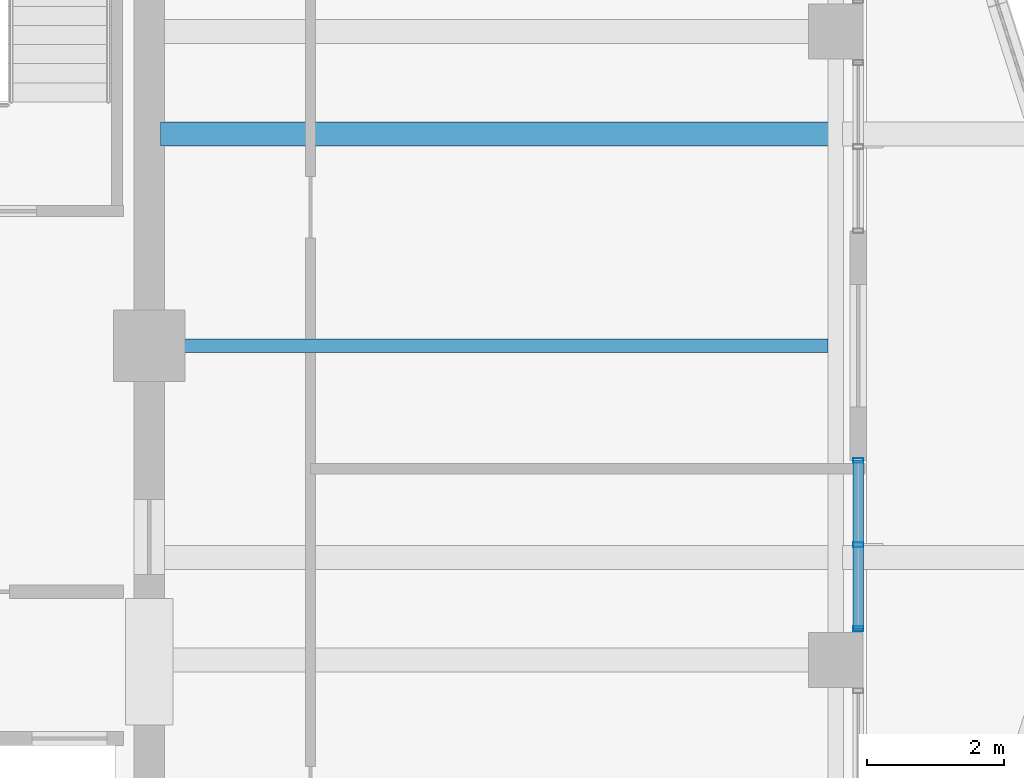
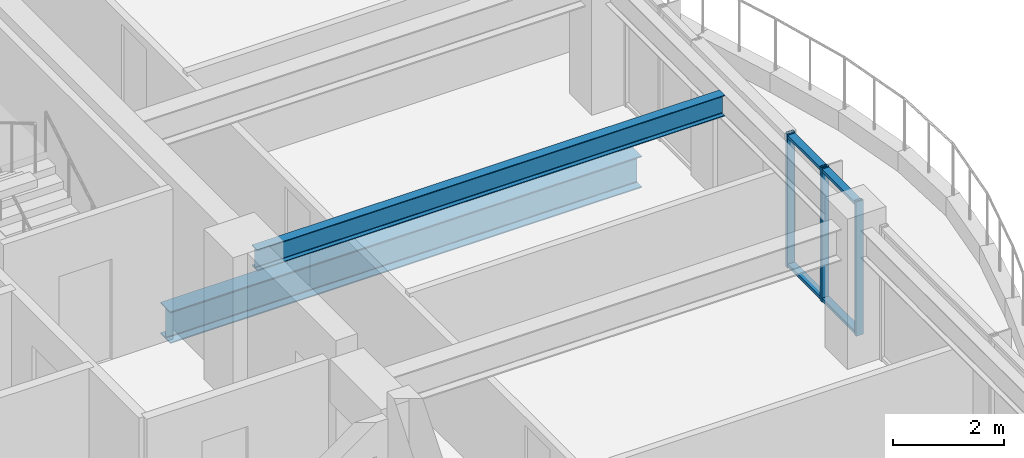
# One storey, part 13 of 34: 5 members, 2 beams, 1 element without a shape of its own.
"""IFC4 building model written with IfcOpenShell, lengths in metres."""

import ifcopenshell
import ifcopenshell.guid

model = None  # the IFC model being written
_history = None  # IfcOwnerHistory: only IFC2X3 demands one
_inside = {}  # id of a spatial element -> (the spatial element, [elements in it])
_under = {}  # id of a project, library or spatial element -> (it, [spatial elements below it])
_declared = {}  # id of a project -> (the project, [libraries it declares])
_typed = {}  # id of a type object -> (the type object, [elements of that type])
_made_of = {}  # id of a material, layer set ... -> (it, [elements and type objects made of it])


def new_model(schema):
    """Start an empty IFC model of exactly this schema.

    Asked for "IFC4X3", IfcOpenShell would pick the latest addendum, in which some entities
    have other attributes; the version numbers below select the first issue.
    IFC2X3 requires an IfcOwnerHistory on every rooted entity: one is made here for all.
    """
    global model, _history
    if schema == "IFC4X3":
        model = ifcopenshell.file(schema_version=(4, 3, 0, 0))
    else:
        model = ifcopenshell.file(schema=schema)
    _inside.clear()
    _under.clear()
    _declared.clear()
    _typed.clear()
    _made_of.clear()
    _history = None
    if model.schema == "IFC2X3":
        org = make("IfcOrganization", Name="unknown")
        user = make(
            "IfcPersonAndOrganization",
            ThePerson=make("IfcPerson", FamilyName="unknown"),
            TheOrganization=org,
        )
        app = make(
            "IfcApplication",
            ApplicationDeveloper=org,
            Version="unknown",
            ApplicationFullName="unknown",
            ApplicationIdentifier="unknown",
        )
        _history = make(
            "IfcOwnerHistory",
            OwningUser=user,
            OwningApplication=app,
            ChangeAction="ADDED",
            CreationDate=0,
        )
    return model


def make(cls, **values):
    """One entity of the class cls with the attributes given. An attribute that is None is left unset."""
    return model.create_entity(
        cls, **{name: value for name, value in values.items() if value is not None}
    )


def rooted(cls, **values):
    """An entity with a GlobalId (a new one), such as an element, a storey or a relation."""
    return make(cls, GlobalId=ifcopenshell.guid.new(), OwnerHistory=_history, **values)


def si_unit(unit_type, name, prefix=None):
    """IfcSIUnit, for example si_unit("LENGTHUNIT", "METRE", prefix="MILLI")."""
    return make("IfcSIUnit", UnitType=unit_type, Prefix=prefix, Name=name)


def assignment(units):
    """IfcUnitAssignment: the units of a project."""
    return None if units is None else make("IfcUnitAssignment", Units=units)


def point(xyz):
    """IfcCartesianPoint."""
    return None if xyz is None else make("IfcCartesianPoint", Coordinates=xyz)


def direction(xyz):
    """IfcDirection."""
    return None if xyz is None else make("IfcDirection", DirectionRatios=xyz)


def frame(location, z_axis=None, x_axis=None):
    """IfcAxis2Placement3D, a coordinate frame: its origin and axes. An axis left out is left unset."""
    return make(
        "IfcAxis2Placement3D",
        Location=point(location),
        Axis=direction(z_axis),
        RefDirection=direction(x_axis),
    )


def frame_2d(location, x_axis=None):
    """IfcAxis2Placement2D, a coordinate frame in the plane: its origin and x axis."""
    return make(
        "IfcAxis2Placement2D", Location=point(location), RefDirection=direction(x_axis)
    )


def origin():
    """The frame at (0, 0, 0) with its axes left unset."""
    return frame((0.0, 0.0, 0.0))


def origin_2d():
    """The frame at (0, 0) in the plane with its x axis left unset."""
    return frame_2d((0.0, 0.0))


def place(relative_to, where):
    """IfcLocalPlacement: puts the frame where relative to a parent placement (None: the world)."""
    return make(
        "IfcLocalPlacement", PlacementRelTo=relative_to, RelativePlacement=where
    )


def context(
    kind, dimensions, precision=None, world=None, true_north=None, identifier=None
):
    """IfcGeometricRepresentationContext, for example the 3D "Model" context."""
    return make(
        "IfcGeometricRepresentationContext",
        ContextIdentifier=identifier,
        ContextType=kind,
        CoordinateSpaceDimension=dimensions,
        Precision=precision,
        WorldCoordinateSystem=world,
        TrueNorth=true_north,
    )


def subcontext(parent, identifier, kind, view, scale=None):
    """IfcGeometricRepresentationSubContext, for example "Body" below "Model"."""
    return make(
        "IfcGeometricRepresentationSubContext",
        ContextIdentifier=identifier,
        ContextType=kind,
        ParentContext=parent,
        TargetScale=scale,
        TargetView=view,
    )


def project(units=None, contexts=None):
    """IfcProject with its units and contexts."""
    return rooted(
        "IfcProject",
        Name="project",
        RepresentationContexts=contexts,
        UnitsInContext=assignment(units),
    )


def spatial(cls, under=None, at=None, **own):
    """A site, building, storey or space (cls), placed at a placement, below another one or the project."""
    s = rooted(cls, ObjectPlacement=at, **own)
    if under is not None:
        _under.setdefault(under.id(), (under, []))[1].append(s)
    return s


def profile(cls, at=None, kind="AREA", **sizes):
    """A parametric profile (cls). Its sizes go by their IFC names, for example OverallWidth=200.0."""
    return make(cls, ProfileType=kind, Position=at, **sizes)


def hollow_rectangle(**sizes):
    """IfcRectangleHollowProfileDef."""
    return profile("IfcRectangleHollowProfileDef", **sizes)


def i_section(**sizes):
    """IfcIShapeProfileDef."""
    return profile("IfcIShapeProfileDef", **sizes)


def extrude(swept, where, along, depth):
    """IfcExtrudedAreaSolid: the profile swept, set in the frame where, extruded along a direction by depth."""
    return make(
        "IfcExtrudedAreaSolid",
        SweptArea=swept,
        Position=where,
        ExtrudedDirection=direction(along),
        Depth=depth,
    )


def shape(context_of_items, identifier, shape_type, items):
    """IfcShapeRepresentation: the items that make up one representation, for example the "Body"."""
    return make(
        "IfcShapeRepresentation",
        ContextOfItems=context_of_items,
        RepresentationIdentifier=identifier,
        RepresentationType=shape_type,
        Items=items,
    )


def material(Name=None, Category=None):
    """IfcMaterial."""
    return make("IfcMaterial", Name=Name, Category=Category)


def material_profile(
    of_material, cross_section, Name=None, Category=None, Priority=None
):
    """IfcMaterialProfile: a cross section and its material."""
    return make(
        "IfcMaterialProfile",
        Name=Name,
        Material=of_material,
        Profile=cross_section,
        Priority=Priority,
        Category=Category,
    )


def profile_set(profiles, Name=None, composite=None):
    """IfcMaterialProfileSet."""
    return make(
        "IfcMaterialProfileSet",
        Name=Name,
        MaterialProfiles=profiles,
        CompositeProfile=composite,
    )


def made_of(thing, what):
    """Note that an element or type object is made of a material, layer set ...; save() writes the relation."""
    if what is not None:
        _made_of.setdefault(what.id(), (what, []))[1].append(thing)
    return thing


def type_object(cls, material=None, **own):
    """A type object (cls), such as IfcWallType, which elements share."""
    return made_of(rooted(cls, **own), material)


def element(
    cls,
    number,
    at=None,
    inside=None,
    cuts=None,
    type_object=None,
    material=None,
    context=None,
    identifier="Body",
    shape_type=None,
    held_by="IfcProductDefinitionShape",
    body=None,
    shapes=None,
    **own,
):
    """One element of the class cls, such as IfcWall. Its Tag is "e" and its number.

    at: its placement. inside: the storey or other place that contains it. cuts: it is an
    opening in that element (IfcRelVoidsElement). A single representation is given by context,
    identifier, shape_type and body (its items); several are given by shapes. held_by: the class
    of the entity that holds the representations. save() writes the other relations.
    """
    e = rooted(cls, Tag="e%d" % number, ObjectPlacement=at, **own)
    if body is not None:
        shapes = [shape(context, identifier, shape_type, body)]
    if shapes is not None:
        e.Representation = make(held_by, Representations=shapes)
    if inside is not None:
        _inside.setdefault(inside.id(), (inside, []))[1].append(e)
    if cuts is not None:
        rooted(
            "IfcRelVoidsElement", RelatingBuildingElement=cuts, RelatedOpeningElement=e
        )
    if type_object is not None:
        _typed.setdefault(type_object.id(), (type_object, []))[1].append(e)
    return made_of(e, material)


def aggregate(whole, parts):
    """IfcRelAggregates: a whole, such as a stair, and the parts it consists of."""
    return rooted("IfcRelAggregates", RelatingObject=whole, RelatedObjects=parts)


def save(model, path):
    """Write the relations noted so far, then the file.

    IfcRelAggregates (storeys below a building ...), IfcRelContainedInSpatialStructure (elements
    in a storey), IfcRelDefinesByType, IfcRelAssociatesMaterial and IfcRelDeclares: one each for
    every whole, place, type object, material and project.
    """
    for whole, parts in _under.values():
        aggregate(whole, parts)
    for where, things in _inside.values():
        rooted(
            "IfcRelContainedInSpatialStructure",
            RelatedElements=things,
            RelatingStructure=where,
        )
    for kind, things in _typed.values():
        rooted("IfcRelDefinesByType", RelatedObjects=things, RelatingType=kind)
    for what, things in _made_of.values():
        rooted("IfcRelAssociatesMaterial", RelatedObjects=things, RelatingMaterial=what)
    for by, libraries in _declared.values():
        rooted("IfcRelDeclares", RelatingContext=by, RelatedDefinitions=libraries)
    model.write(path)


model = new_model("IFC4")

# Units and contexts
model_context = context("Model", 3, precision=1e-05, world=origin(), true_north=direction((0.0, 1.0)))
body_context = subcontext(model_context, "Body", "Model", "MODEL_VIEW")
ifc_project = project(units=[si_unit("LENGTHUNIT", "METRE"), si_unit("AREAUNIT", "SQUARE_METRE"), si_unit("VOLUMEUNIT", "CUBIC_METRE"), si_unit("PLANEANGLEUNIT", "RADIAN"), si_unit("MASSUNIT", "GRAM", prefix="KILO")], contexts=[model_context])

# Site, building, storey
site_placement = place(None, origin())
site = spatial("IfcSite", under=ifc_project, at=site_placement, CompositionType="ELEMENT")
building_placement = place(site_placement, origin())
building = spatial("IfcBuilding", under=site, at=building_placement, Name="Kolvaren Belvedere", CompositionType="ELEMENT")
storey_placement = place(building_placement, frame((0.0, 0.0, 229.5)))
storey = spatial("IfcBuildingStorey", under=building, at=storey_placement, Name="L67", CompositionType="ELEMENT", Elevation=229.5)

# Beams
ifc_material_1 = material(Name="Structural steel ASTM A992 Grade 50", Category="steel")
ifc_material_profile_1 = material_profile(ifc_material_1, i_section(OverallWidth=0.35498046875, OverallDepth=0.696044921875, WebThickness=0.015380859375, FlangeThickness=0.02490234375, FilletRadius=0.02197265625, at=origin_2d()), Name="W27X146")
ifc_profile_set_1 = profile_set([ifc_material_profile_1], Name="Structural steel ASTM A992 Grade 50")
beam_type_1 = type_object("IfcBeamType", Name="BM-GIRD-W27X146", PredefinedType="BEAM", material=ifc_profile_set_1)
beam_1_placement = place(storey_placement, frame((10.06494140625, 3.10009765625, -0.568115234375), z_axis=(1.0, 0.0, 0.0), x_axis=(0.0, 1.0, 0.0)))
element("IfcBeam", 1, at=beam_1_placement, inside=storey, type_object=beam_type_1, Name="L67 Balcony Interior Back-Span Girder BAL-E-2", PredefinedType="BEAM", context=body_context, shape_type="SweptSolid", body=[
    extrude(i_section(OverallWidth=0.35498046875, OverallDepth=0.696044921875, WebThickness=0.015380859375, FlangeThickness=0.02490234375, FilletRadius=0.02197265625, at=origin_2d()), origin(), (0.0, 0.0, 1.0), 9.7900390625),
])
ifc_material_2 = material(Name="Structural steel ASTM A992 Grade 50", Category="steel")
ifc_material_profile_2 = material_profile(ifc_material_2, i_section(OverallWidth=0.19091796875, OverallDepth=0.4599609375, WebThickness=0.010009765625, FlangeThickness=0.01611328125, FilletRadius=0.014892578125, at=origin_2d()), Name="W18X55")
ifc_profile_set_2 = profile_set([ifc_material_profile_2], Name="Structural steel ASTM A992 Grade 50")
beam_type_2 = type_object("IfcBeamType", Name="BM-JOIST-W18X55", PredefinedType="BEAM", material=ifc_profile_set_2)
beam_2_placement = place(storey_placement, frame((10.125, 0.0, 2.719970703125), z_axis=(1.0, 0.0, 0.0), x_axis=(0.0, 1.0, 0.0)))
element("IfcBeam", 2, at=beam_2_placement, inside=storey, type_object=beam_type_2, Name="L67 East Centre Floor Beam", PredefinedType="BEAM", context=body_context, shape_type="SweptSolid", body=[
    extrude(i_section(OverallWidth=0.19091796875, OverallDepth=0.4599609375, WebThickness=0.010009765625, FlangeThickness=0.01611328125, FilletRadius=0.014892578125, at=origin_2d()), origin(), (0.0, 0.0, 1.0), 9.71044921875),
])

# Curtain wall, members
ifc_material_3 = material(Name="Anodised pale-metal aluminium AA 6063-T6", Category="aluminium")
curtain_wall_type = type_object("IfcCurtainWallType", Name="CW-Z5-HIGH", PredefinedType="NOTDEFINED", material=ifc_material_3)
curtain_wall_placement = place(storey_placement, origin())
curtain_wall = element("IfcCurtainWall", 3, at=curtain_wall_placement, inside=storey, type_object=curtain_wall_type, Name="L67 Unitised Curtain Wall FCW-L67-E2-B1", PredefinedType="NOTDEFINED")
ifc_material_4 = material(Name="Anodised pale-metal aluminium AA 6063-T6", Category="aluminium")
ifc_material_profile_3 = material_profile(ifc_material_4, hollow_rectangle(XDim=0.070068359375, YDim=0.14990234375, WallThickness=0.004150390625, at=origin_2d()), Name="ALU-MUL-150X70")
ifc_profile_set_3 = profile_set([ifc_material_profile_3], Name="Anodised pale-metal aluminium AA 6063-T6")
member_type_1 = type_object("IfcMemberType", Name="CW-MUL-150", PredefinedType="MULLION", material=ifc_profile_set_3)
member_1_placement = place(storey_placement, frame((20.280029296875, -1.679931640625, 0.0), z_axis=(0.0, 0.0, 1.0), x_axis=(0.0, 1.0, 0.0)))
member_1 = element("IfcMember", 4, at=member_1_placement, type_object=member_type_1, Name="FCW-L67-E2-B1 Unitised Mullion 1", PredefinedType="MULLION", context=body_context, shape_type="SweptSolid", body=[
    extrude(hollow_rectangle(XDim=0.070068359375, YDim=0.14990234375, WallThickness=0.004150390625, at=origin_2d()), origin(), (0.0, 0.0, 1.0), 2.949951171875),
])
member_2_placement = place(storey_placement, frame((20.280029296875, -2.91259765625, 0.0), z_axis=(0.0, 0.0, 1.0), x_axis=(0.0, 1.0, 0.0)))
member_2 = element("IfcMember", 5, at=member_2_placement, type_object=member_type_1, Name="FCW-L67-E2-B1 Unitised Mullion 2", PredefinedType="MULLION", context=body_context, shape_type="SweptSolid", body=[
    extrude(hollow_rectangle(XDim=0.070068359375, YDim=0.14990234375, WallThickness=0.004150390625, at=origin_2d()), origin(), (0.0, 0.0, 1.0), 2.949951171875),
])
member_3_placement = place(storey_placement, frame((20.280029296875, -4.14501953125, 0.0), z_axis=(0.0, 0.0, 1.0), x_axis=(0.0, 1.0, 0.0)))
member_3 = element("IfcMember", 6, at=member_3_placement, type_object=member_type_1, Name="FCW-L67-E2-B1 Unitised Mullion 3", PredefinedType="MULLION", context=body_context, shape_type="SweptSolid", body=[
    extrude(hollow_rectangle(XDim=0.070068359375, YDim=0.14990234375, WallThickness=0.004150390625, at=origin_2d()), origin(), (0.0, 0.0, 1.0), 2.949951171875),
])
ifc_material_5 = material(Name="Anodised pale-metal aluminium AA 6063-T6", Category="aluminium")
ifc_material_profile_4 = material_profile(ifc_material_5, hollow_rectangle(XDim=0.06494140625, YDim=0.14990234375, WallThickness=0.00390625, at=origin_2d()), Name="ALU-TRN-150X65")
ifc_profile_set_4 = profile_set([ifc_material_profile_4], Name="Anodised pale-metal aluminium AA 6063-T6")
member_type_2 = type_object("IfcMemberType", Name="CW-TRN-150", PredefinedType="USERDEFINED", material=ifc_profile_set_4)
member_4_placement = place(storey_placement, frame((20.280029296875, -1.679931640625, 0.06005859375), z_axis=(0.0, -1.0, 0.0), x_axis=(0.0, 0.0, 1.0)))
member_4 = element("IfcMember", 7, at=member_4_placement, type_object=member_type_2, Name="FCW-L67-E2-B1 Sill Transom", ObjectType="TRANSOM", PredefinedType="USERDEFINED", context=body_context, shape_type="SweptSolid", body=[
    extrude(hollow_rectangle(XDim=0.06494140625, YDim=0.14990234375, WallThickness=0.00390625, at=origin_2d()), origin(), (0.0, 0.0, 1.0), 2.465087890625),
])
member_5_placement = place(storey_placement, frame((20.280029296875, -1.679931640625, 2.889892578125), z_axis=(0.0, -1.0, 0.0), x_axis=(0.0, 0.0, 1.0)))
member_5 = element("IfcMember", 8, at=member_5_placement, type_object=member_type_2, Name="FCW-L67-E2-B1 Head Transom", ObjectType="TRANSOM", PredefinedType="USERDEFINED", context=body_context, shape_type="SweptSolid", body=[
    extrude(hollow_rectangle(XDim=0.06494140625, YDim=0.14990234375, WallThickness=0.00390625, at=origin_2d()), origin(), (0.0, 0.0, 1.0), 2.465087890625),
])
aggregate(curtain_wall, [member_1, member_2, member_3, member_4, member_5])

save(model, "model.ifc")
